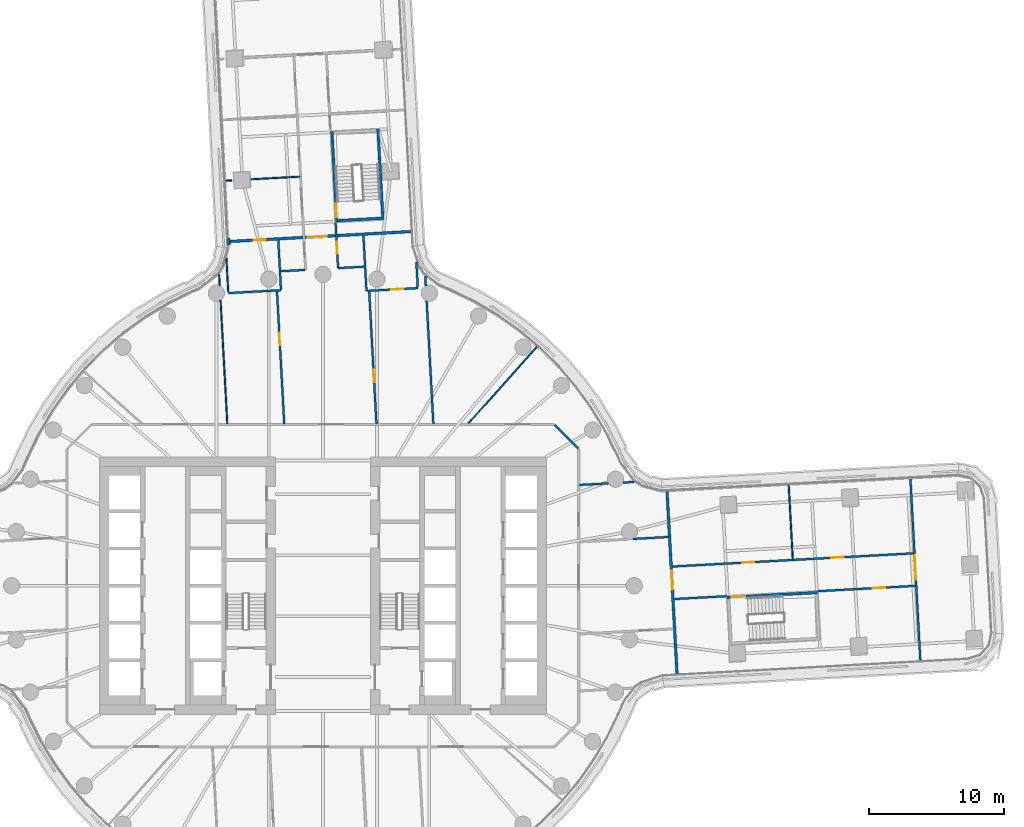
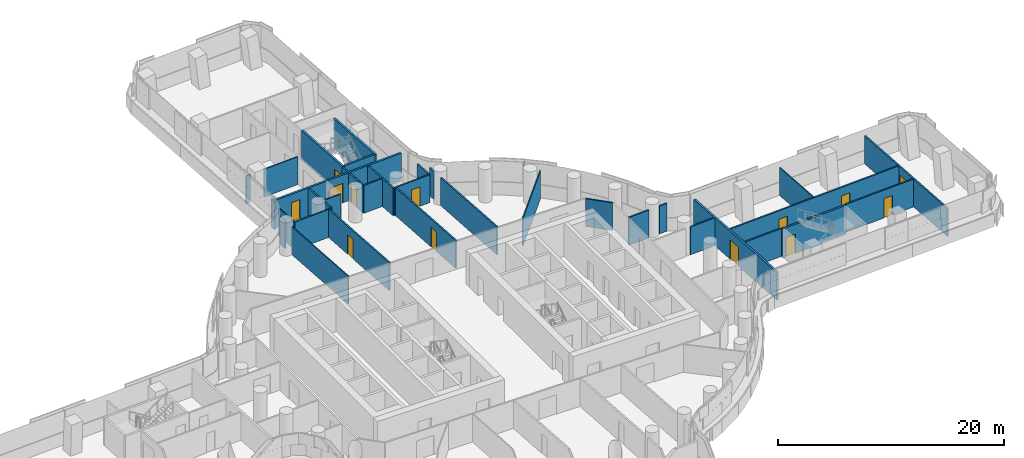
# One storey, part 22 of 31: 34 walls, 13 doors, 13 openings.
"""IFC4 building model written with IfcOpenShell, lengths in metres."""

from ifc_helpers import new_model, si_unit, direction, frame, frame_2d, origin, place, context, subcontext, project, spatial, rectangle, extrude, material, layer, layer_set, type_object, element, fill, save


model = new_model("IFC4")

# Units and contexts
model_context = context("Model", 3, precision=1e-05, world=origin(), true_north=direction((0.0, 1.0)))
body_context = subcontext(model_context, "Body", "Model", "MODEL_VIEW")
ifc_project = project(units=[si_unit("LENGTHUNIT", "METRE"), si_unit("AREAUNIT", "SQUARE_METRE"), si_unit("VOLUMEUNIT", "CUBIC_METRE"), si_unit("PLANEANGLEUNIT", "RADIAN"), si_unit("MASSUNIT", "GRAM", prefix="KILO")], contexts=[model_context])

# Site, building, storey
site_placement = place(None, origin())
site = spatial("IfcSite", under=ifc_project, at=site_placement, CompositionType="ELEMENT")
building_placement = place(site_placement, origin())
building = spatial("IfcBuilding", under=site, at=building_placement, Name="Tamarind Cross Interchange Tower", CompositionType="ELEMENT")
storey_placement = place(building_placement, frame((0.0, 0.0, 45.25)))
storey = spatial("IfcBuildingStorey", under=building, at=storey_placement, Name="L09", CompositionType="ELEMENT", Elevation=45.25)

# Walls
ifc_material_1 = material(Name="Gypsum board partition on steel studs", Category="steel")
ifc_layer_1 = layer(ifc_material_1, 0.10009765625)
ifc_layer_set_1 = layer_set([ifc_layer_1], Name="Gypsum board partition on steel studs")
wall_type_1 = type_object("IfcWallType", Name="Partition 100 mm EI 90", PredefinedType="PARTITIONING", material=ifc_layer_set_1)
wall_1_placement = place(storey_placement, frame((-7.664794921875, 22.97607421875, 0.0), z_axis=(0.0, 0.0, 1.0), x_axis=(0.05446449316, -0.998515707931, 0.0)))
element("IfcWall", 1, at=wall_1_placement, inside=storey, type_object=wall_type_1, Name="Partition L09-004", PredefinedType="PARTITIONING", context=body_context, shape_type="SweptSolid", body=[
    extrude(rectangle(XDim=0.8203125, YDim=0.10009765625, at=frame_2d((0.41015625, 0.0))), origin(), (0.0, 0.0, 1.0), 3.010009765625),
])
wall_2_placement = place(storey_placement, frame((-7.561279296875, 21.084716796875, 0.0), z_axis=(0.0, 0.0, 1.0), x_axis=(0.054713906198, -0.998502072341, 0.0)))
element("IfcWall", 2, at=wall_2_placement, inside=storey, type_object=wall_type_1, Name="Partition L09-005", PredefinedType="PARTITIONING", context=body_context, shape_type="SweptSolid", body=[
    extrude(rectangle(XDim=9.138427734375, YDim=0.10009765625, at=frame_2d((4.5693359375, 0.0))), origin(), (0.0, 0.0, 1.0), 3.010009765625),
])
wall_3_placement = place(storey_placement, frame((-7.1298828125, 24.179931640625, 0.0), z_axis=(0.0, 0.0, 1.0), x_axis=(0.05444507148, -0.998516767106, 0.0)))
element("IfcWall", 3, at=wall_3_placement, inside=storey, type_object=wall_type_1, Name="Partition L09-008", PredefinedType="PARTITIONING", context=body_context, shape_type="SweptSolid", body=[
    extrude(rectangle(XDim=2.506591796875, YDim=0.10009765625, at=frame_2d((1.25341796875, 0.0))), origin(), (0.0, 0.0, 1.0), 3.010009765625),
])
wall_4_placement = place(storey_placement, frame((34.4130859375, 7.41650390625, 0.0), z_axis=(0.0, 0.0, 1.0), x_axis=(0.05462995219, -0.998506669143, 0.0)))
element("IfcWall", 4, at=wall_4_placement, inside=storey, type_object=wall_type_1, Name="Partition L09-028", PredefinedType="PARTITIONING", context=body_context, shape_type="SweptSolid", body=[
    extrude(rectangle(XDim=5.45654296875, YDim=0.10009765625, at=frame_2d((2.728271484375, 0.0))), origin(), (0.0, 0.0, 1.0), 3.010009765625),
])
wall_5_placement = place(storey_placement, frame((-7.180419921875, 29.9189453125, 0.0), z_axis=(0.0, 0.0, 1.0), x_axis=(0.998492918186, 0.054880710029, 0.0)))
element("IfcWall", 5, at=wall_5_placement, inside=storey, type_object=wall_type_1, Name="Partition L09-051", PredefinedType="PARTITIONING", context=body_context, shape_type="SweptSolid", body=[
    extrude(rectangle(XDim=0.43603515625, YDim=0.10009765625, at=frame_2d((0.218017578125, 0.0))), origin(), (0.0, 0.0, 1.0), 3.010009765625),
])
wall_6_placement = place(storey_placement, frame((-5.31201171875, 30.021484375, 0.0), z_axis=(0.0, 0.0, 1.0), x_axis=(0.998501797092, 0.054718929122, 0.0)))
element("IfcWall", 6, at=wall_6_placement, inside=storey, type_object=wall_type_1, Name="Partition L09-052", PredefinedType="PARTITIONING", context=body_context, shape_type="SweptSolid", body=[
    extrude(rectangle(XDim=3.6005859375, YDim=0.10009765625, at=frame_2d((1.80029296875, 0.0))), origin(), (0.0, 0.0, 1.0), 3.010009765625),
])
wall_7_placement = place(storey_placement, frame((10.744873046875, 11.98876953125, 0.0), z_axis=(0.0, 0.0, 1.0), x_axis=(0.667389997602, 0.744708393333, 0.0)))
element("IfcWall", 7, at=wall_7_placement, inside=storey, type_object=wall_type_1, Name="Partition L09-074", PredefinedType="PARTITIONING", context=body_context, shape_type="SweptSolid", body=[
    extrude(rectangle(XDim=7.587646484375, YDim=0.10009765625, at=frame_2d((3.7939453125, 0.0))), origin(), (0.0, 0.0, 1.0), 3.010009765625),
])

# Wall, opening, door
ifc_layer_2 = layer(ifc_material_1, 0.14990234375)
ifc_layer_set_2 = layer_set([ifc_layer_2], Name="Gypsum board partition on steel studs")
wall_type_2 = type_object("IfcWallType", Name="Partition 150 mm EI 120", PredefinedType="PARTITIONING", material=ifc_layer_set_2)
wall_8_placement = place(storey_placement, frame((-3.391357421875, 21.7490234375, 0.0), z_axis=(0.0, 0.0, 1.0), x_axis=(0.054686598067, -0.998503568342, 0.0)))
wall_8 = element("IfcWall", 8, at=wall_8_placement, inside=storey, type_object=wall_type_2, Name="Partition L09-010", PredefinedType="PARTITIONING", context=body_context, shape_type="SweptSolid", body=[
    extrude(rectangle(XDim=9.8037109375, YDim=0.14990234375, at=frame_2d((4.90185546875, 0.0))), origin(), (0.0, 0.0, 1.0), 3.010009765625),
])
opening_1_placement = place(wall_8_placement, frame((3.0849609375, 0.0, 0.0)))
opening_1 = element("IfcOpeningElement", 9, at=opening_1_placement, cuts=wall_8, Name="Opening D04", PredefinedType="OPENING", context=body_context, shape_type="SweptSolid", body=[
    extrude(rectangle(XDim=0.89990234375, YDim=2.10009765625, at=frame_2d((0.449951171875, 1.050048828125))), frame((0.0, 0.0849609375, 0.0), z_axis=(0.0, -1.0, 0.0), x_axis=(1.0, 0.0, 0.0)), (0.0, 0.0, 1.0), 0.169921875),
])
ifc_material_2 = material(Name="Fire-resisting door set")
door_type_1 = type_object("IfcDoorType", Name="Interior door 900 x 2100 FD60S", OperationType="SINGLE_SWING_LEFT", PredefinedType="DOOR", material=ifc_material_2)
door_1_placement = place(opening_1_placement, frame((0.89990234375, 0.0, 0.0), z_axis=(0.0, 0.0, 1.0), x_axis=(-1.0, 0.0, 0.0)))
door_1 = element("IfcDoor", 10, at=door_1_placement, inside=storey, type_object=door_type_1, Name="Door D04", OperationType="SINGLE_SWING_LEFT", OverallHeight=2.10009765625, OverallWidth=0.89990234375, PredefinedType="DOOR", context=body_context, shape_type="SweptSolid", body=[
    extrude(rectangle(XDim=0.89990234375, YDim=2.10009765625, at=frame_2d((0.449951171875, 1.050048828125))), frame((0.0, 0.02490234375, 0.0), z_axis=(0.0, -1.0, 0.0), x_axis=(1.0, 0.0, 0.0)), (0.0, 0.0, 1.0), 0.050048828125),
])
fill(opening_1, door_1)

# Wall
wall_9_placement = place(storey_placement, frame((-3.298095703125, 25.53515625, 0.0), z_axis=(0.0, 0.0, 1.0), x_axis=(0.054703313237, -0.998502652736, 0.0)))
element("IfcWall", 11, at=wall_9_placement, inside=storey, type_object=wall_type_2, Name="Partition L09-011", PredefinedType="PARTITIONING", context=body_context, shape_type="SweptSolid", body=[
    extrude(rectangle(XDim=3.650634765625, YDim=0.14990234375, at=frame_2d((1.8251953125, 0.0))), origin(), (0.0, 0.0, 1.0), 3.010009765625),
])

# Wall, opening, door
wall_10_placement = place(storey_placement, frame((0.9375, 26.818603515625, 0.0), z_axis=(0.0, 0.0, 1.0), x_axis=(0.05464892536, -0.998505630909, 0.0)))
wall_10 = element("IfcWall", 12, at=wall_10_placement, inside=storey, type_object=wall_type_2, Name="Partition L09-017", PredefinedType="PARTITIONING", context=body_context, shape_type="SweptSolid", body=[
    extrude(rectangle(XDim=3.359619140625, YDim=0.14990234375, at=frame_2d((1.6796875, 0.0))), origin(), (0.0, 0.0, 1.0), 3.010009765625),
])
opening_2_placement = place(wall_10_placement, frame((1.409912109375, 0.0, 0.0)))
opening_2 = element("IfcOpeningElement", 13, at=opening_2_placement, cuts=wall_10, Name="Opening D13", PredefinedType="OPENING", context=body_context, shape_type="SweptSolid", body=[
    extrude(rectangle(XDim=0.89990234375, YDim=2.10009765625, at=frame_2d((0.449951171875, 1.050048828125))), frame((0.0, 0.0849609375, 0.0), z_axis=(0.0, -1.0, 0.0), x_axis=(1.0, 0.0, 0.0)), (0.0, 0.0, 1.0), 0.169921875),
])
door_2_placement = place(opening_2_placement, origin())
door_2 = element("IfcDoor", 14, at=door_2_placement, inside=storey, type_object=door_type_1, Name="Door D13", OperationType="SINGLE_SWING_LEFT", OverallHeight=2.10009765625, OverallWidth=0.89990234375, PredefinedType="DOOR", context=body_context, shape_type="SweptSolid", body=[
    extrude(rectangle(XDim=0.89990234375, YDim=2.10009765625, at=frame_2d((0.449951171875, 1.050048828125))), frame((0.0, 0.02490234375, 0.0), z_axis=(0.0, -1.0, 0.0), x_axis=(1.0, 0.0, 0.0)), (0.0, 0.0, 1.0), 0.050048828125),
])
fill(opening_2, door_2)

# Wall
wall_11_placement = place(storey_placement, frame((2.991943359375, 25.879150390625, 0.0), z_axis=(0.0, 0.0, 1.0), x_axis=(0.054598038501, -0.998508414683, 0.0)))
element("IfcWall", 15, at=wall_11_placement, inside=storey, type_object=wall_type_2, Name="Partition L09-020", PredefinedType="PARTITIONING", context=body_context, shape_type="SweptSolid", body=[
    extrude(rectangle(XDim=4.109375, YDim=0.14990234375, at=frame_2d((2.0546875, 0.0))), origin(), (0.0, 0.0, 1.0), 3.010009765625),
])

# Wall, opening, door
wall_12_placement = place(storey_placement, frame((3.420654296875, 21.72216796875, 0.0), z_axis=(0.0, 0.0, 1.0), x_axis=(0.054612518659, -0.998507622808, 0.0)))
wall_12 = element("IfcWall", 16, at=wall_12_placement, inside=storey, type_object=wall_type_2, Name="Partition L09-021", PredefinedType="PARTITIONING", context=body_context, shape_type="SweptSolid", body=[
    extrude(rectangle(XDim=9.77685546875, YDim=0.14990234375, at=frame_2d((4.888427734375, 0.0))), origin(), (0.0, 0.0, 1.0), 3.010009765625),
])
opening_3_placement = place(wall_12_placement, frame((5.784912109375, 0.0, 0.0)))
opening_3 = element("IfcOpeningElement", 17, at=opening_3_placement, cuts=wall_12, Name="Opening D15", PredefinedType="OPENING", context=body_context, shape_type="SweptSolid", body=[
    extrude(rectangle(XDim=0.89990234375, YDim=2.10009765625, at=frame_2d((0.449951171875, 1.050048828125))), frame((0.0, 0.0849609375, 0.0), z_axis=(0.0, -1.0, 0.0), x_axis=(1.0, 0.0, 0.0)), (0.0, 0.0, 1.0), 0.169921875),
])
door_3_placement = place(opening_3_placement, origin())
door_3 = element("IfcDoor", 18, at=door_3_placement, inside=storey, type_object=door_type_1, Name="Door D15", OperationType="SINGLE_SWING_LEFT", OverallHeight=2.10009765625, OverallWidth=0.89990234375, PredefinedType="DOOR", context=body_context, shape_type="SweptSolid", body=[
    extrude(rectangle(XDim=0.89990234375, YDim=2.10009765625, at=frame_2d((0.449951171875, 1.050048828125))), frame((0.0, 0.02490234375, 0.0), z_axis=(0.0, -1.0, 0.0), x_axis=(1.0, 0.0, 0.0)), (0.0, 0.0, 1.0), 0.050048828125),
])
fill(opening_3, door_3)

# Walls
wall_13_placement = place(storey_placement, frame((6.905029296875, 23.930419921875, 0.0), z_axis=(0.0, 0.0, 1.0), x_axis=(0.054387027717, -0.998519930305, 0.0)))
element("IfcWall", 19, at=wall_13_placement, inside=storey, type_object=wall_type_2, Name="Partition L09-022", PredefinedType="PARTITIONING", context=body_context, shape_type="SweptSolid", body=[
    extrude(rectangle(XDim=1.88525390625, YDim=0.14990234375, at=frame_2d((0.942626953125, 0.0))), origin(), (0.0, 0.0, 1.0), 3.010009765625),
])
wall_14_placement = place(storey_placement, frame((7.564208984375, 22.864013671875, 0.0), z_axis=(0.0, 0.0, 1.0), x_axis=(0.05446449316, -0.998515707931, 0.0)))
element("IfcWall", 20, at=wall_14_placement, inside=storey, type_object=wall_type_2, Name="Partition L09-025", PredefinedType="PARTITIONING", context=body_context, shape_type="SweptSolid", body=[
    extrude(rectangle(XDim=0.712646484375, YDim=0.14990234375, at=frame_2d((0.3564453125, 0.0))), origin(), (0.0, 0.0, 1.0), 3.010009765625),
])
wall_15_placement = place(storey_placement, frame((7.662841796875, 21.0576171875, 0.0), z_axis=(0.0, 0.0, 1.0), x_axis=(0.054635960393, -0.998506340406, 0.0)))
element("IfcWall", 21, at=wall_15_placement, inside=storey, type_object=wall_type_2, Name="Partition L09-026", PredefinedType="PARTITIONING", context=body_context, shape_type="SweptSolid", body=[
    extrude(rectangle(XDim=9.111328125, YDim=0.14990234375, at=frame_2d((4.5556640625, 0.0))), origin(), (0.0, 0.0, 1.0), 3.010009765625),
])

# Wall, opening, door
wall_16_placement = place(storey_placement, frame((43.401123046875, 7.888916015625, 0.0), z_axis=(0.0, 0.0, 1.0), x_axis=(0.054633850109, -0.998506455874, 0.0)))
wall_16 = element("IfcWall", 22, at=wall_16_placement, inside=storey, type_object=wall_type_2, Name="Partition L09-029", PredefinedType="PARTITIONING", context=body_context, shape_type="SweptSolid", body=[
    extrude(rectangle(XDim=13.406005859375, YDim=0.14990234375, at=frame_2d((6.703125, 0.0))), origin(), (0.0, 0.0, 1.0), 3.010009765625),
])
opening_4_placement = place(wall_16_placement, frame((5.656982421875, 0.0, 0.0)))
opening_4 = element("IfcOpeningElement", 23, at=opening_4_placement, cuts=wall_16, Name="Opening D17", PredefinedType="OPENING", context=body_context, shape_type="SweptSolid", body=[
    extrude(rectangle(XDim=1.800048828125, YDim=2.10009765625, at=frame_2d((0.89990234375, 1.050048828125))), frame((0.0, 0.0849609375, 0.0), z_axis=(0.0, -1.0, 0.0), x_axis=(1.0, 0.0, 0.0)), (0.0, 0.0, 1.0), 0.169921875),
])
door_type_2 = type_object("IfcDoorType", Name="Interior door 1800 x 2100 FD60S", OperationType="DOUBLE_DOOR_SINGLE_SWING", PredefinedType="DOOR", material=ifc_material_2)
door_4_placement = place(opening_4_placement, origin())
door_4 = element("IfcDoor", 24, at=door_4_placement, inside=storey, type_object=door_type_2, Name="Door D17", OperationType="DOUBLE_DOOR_SINGLE_SWING", OverallHeight=2.10009765625, OverallWidth=1.800048828125, PredefinedType="DOOR", context=body_context, shape_type="SweptSolid", body=[
    extrude(rectangle(XDim=1.800048828125, YDim=2.10009765625, at=frame_2d((0.89990234375, 1.050048828125))), frame((0.0, 0.02490234375, 0.0), z_axis=(0.0, -1.0, 0.0), x_axis=(1.0, 0.0, 0.0)), (0.0, 0.0, 1.0), 0.050048828125),
])
fill(opening_4, door_4)

# Wall
wall_17_placement = place(storey_placement, frame((17.12841796875, 11.87158203125, 0.0), z_axis=(0.0, 0.0, 1.0), x_axis=(0.707106781187, -0.707106781187, 0.0)))
element("IfcWall", 25, at=wall_17_placement, inside=storey, type_object=wall_type_2, Name="Partition L09-031", PredefinedType="PARTITIONING", context=body_context, shape_type="SweptSolid", body=[
    extrude(rectangle(XDim=2.465087890625, YDim=0.14990234375, at=frame_2d((1.232421875, 0.0))), origin(), (0.0, 0.0, 1.0), 3.010009765625),
])

# Wall, openings, doors
wall_18_placement = place(storey_placement, frame((25.818603515625, 1.416259765625, 0.0), z_axis=(0.0, 0.0, 1.0), x_axis=(0.998504444883, 0.054670591258, 0.0)))
wall_18 = element("IfcWall", 26, at=wall_18_placement, inside=storey, type_object=wall_type_2, Name="Partition L09-037", PredefinedType="PARTITIONING", context=body_context, shape_type="SweptSolid", body=[
    extrude(rectangle(XDim=17.8447265625, YDim=0.14990234375, at=frame_2d((8.92236328125, 0.0))), origin(), (0.0, 0.0, 1.0), 3.010009765625),
])
opening_5_placement = place(wall_18_placement, frame((5.159912109375, 0.0, 0.0)))
opening_5 = element("IfcOpeningElement", 27, at=opening_5_placement, cuts=wall_18, Name="Opening D25", PredefinedType="OPENING", context=body_context, shape_type="SweptSolid", body=[
    extrude(rectangle(XDim=0.89990234375, YDim=2.10009765625, at=frame_2d((0.449951171875, 1.050048828125))), frame((0.0, 0.0849609375, 0.0), z_axis=(0.0, -1.0, 0.0), x_axis=(1.0, 0.0, 0.0)), (0.0, 0.0, 1.0), 0.169921875),
])
opening_6_placement = place(wall_18_placement, frame((11.759521484375, 0.0, 0.0)))
opening_6 = element("IfcOpeningElement", 28, at=opening_6_placement, cuts=wall_18, Name="Opening D26", PredefinedType="OPENING", context=body_context, shape_type="SweptSolid", body=[
    extrude(rectangle(XDim=0.89990234375, YDim=2.10009765625, at=frame_2d((0.449951171875, 1.050048828125))), frame((0.0, 0.0849609375, 0.0), z_axis=(0.0, -1.0, 0.0), x_axis=(1.0, 0.0, 0.0)), (0.0, 0.0, 1.0), 0.169921875),
])
door_5_placement = place(opening_5_placement, origin())
door_5 = element("IfcDoor", 29, at=door_5_placement, inside=storey, type_object=door_type_1, Name="Door D25", OperationType="SINGLE_SWING_RIGHT", OverallHeight=2.10009765625, OverallWidth=0.89990234375, PredefinedType="DOOR", context=body_context, shape_type="SweptSolid", body=[
    extrude(rectangle(XDim=0.89990234375, YDim=2.10009765625, at=frame_2d((0.449951171875, 1.050048828125))), frame((0.0, 0.02490234375, 0.0), z_axis=(0.0, -1.0, 0.0), x_axis=(1.0, 0.0, 0.0)), (0.0, 0.0, 1.0), 0.050048828125),
])
fill(opening_5, door_5)
door_6_placement = place(opening_6_placement, origin())
door_6 = element("IfcDoor", 30, at=door_6_placement, inside=storey, type_object=door_type_1, Name="Door D26", OperationType="SINGLE_SWING_LEFT", OverallHeight=2.10009765625, OverallWidth=0.89990234375, PredefinedType="DOOR", context=body_context, shape_type="SweptSolid", body=[
    extrude(rectangle(XDim=0.89990234375, YDim=2.10009765625, at=frame_2d((0.449951171875, 1.050048828125))), frame((0.0, 0.02490234375, 0.0), z_axis=(0.0, -1.0, 0.0), x_axis=(1.0, 0.0, 0.0)), (0.0, 0.0, 1.0), 0.050048828125),
])
fill(opening_6, door_6)

# Walls
wall_19_placement = place(storey_placement, frame((-6.989990234375, 21.616943359375, 0.0), z_axis=(0.0, 0.0, 1.0), x_axis=(0.998502807965, 0.054700479764, 0.0)))
element("IfcWall", 31, at=wall_19_placement, inside=storey, type_object=wall_type_2, Name="Partition L09-053", PredefinedType="PARTITIONING", context=body_context, shape_type="SweptSolid", body=[
    extrude(rectangle(XDim=3.90087890625, YDim=0.14990234375, at=frame_2d((1.950439453125, 0.0))), origin(), (0.0, 0.0, 1.0), 3.010009765625),
])
wall_20_placement = place(storey_placement, frame((-3.107177734375, 23.231689453125, 0.0), z_axis=(0.0, 0.0, 1.0), x_axis=(0.998507808704, 0.054609119721, 0.0)))
element("IfcWall", 32, at=wall_20_placement, inside=storey, type_object=wall_type_2, Name="Partition L09-059", PredefinedType="PARTITIONING", context=body_context, shape_type="SweptSolid", body=[
    extrude(rectangle(XDim=1.77490234375, YDim=0.14990234375, at=frame_2d((0.887451171875, 0.0))), origin(), (0.0, 0.0, 1.0), 3.010009765625),
])
wall_21_placement = place(storey_placement, frame((1.1220703125, 23.46337890625, 0.0), z_axis=(0.0, 0.0, 1.0), x_axis=(0.998497803105, 0.054791762112, 0.0)))
element("IfcWall", 33, at=wall_21_placement, inside=storey, type_object=wall_type_2, Name="Partition L09-060", PredefinedType="PARTITIONING", context=body_context, shape_type="SweptSolid", body=[
    extrude(rectangle(XDim=1.933837890625, YDim=0.14990234375, at=frame_2d((0.966796875, 0.0))), origin(), (0.0, 0.0, 1.0), 3.010009765625),
])

# Wall, opening, door
wall_22_placement = place(storey_placement, frame((3.27685546875, 21.779296875, 0.0), z_axis=(0.0, 0.0, 1.0), x_axis=(0.998491728181, 0.054902356548, 0.0)))
wall_22 = element("IfcWall", 34, at=wall_22_placement, inside=storey, type_object=wall_type_2, Name="Partition L09-061", PredefinedType="PARTITIONING", context=body_context, shape_type="SweptSolid", body=[
    extrude(rectangle(XDim=3.73974609375, YDim=0.14990234375, at=frame_2d((1.869873046875, 0.0))), origin(), (0.0, 0.0, 1.0), 3.010009765625),
])
opening_7_placement = place(wall_22_placement, frame((1.790283203125, 0.0, 0.0)))
opening_7 = element("IfcOpeningElement", 35, at=opening_7_placement, cuts=wall_22, Name="Opening D34", PredefinedType="OPENING", context=body_context, shape_type="SweptSolid", body=[
    extrude(rectangle(XDim=0.89990234375, YDim=2.10009765625, at=frame_2d((0.449951171875, 1.050048828125))), frame((0.0, 0.0849609375, 0.0), z_axis=(0.0, -1.0, 0.0), x_axis=(1.0, 0.0, 0.0)), (0.0, 0.0, 1.0), 0.169921875),
])
door_7_placement = place(opening_7_placement, origin())
door_7 = element("IfcDoor", 36, at=door_7_placement, inside=storey, type_object=door_type_1, Name="Door D34", OperationType="SINGLE_SWING_LEFT", OverallHeight=2.10009765625, OverallWidth=0.89990234375, PredefinedType="DOOR", context=body_context, shape_type="SweptSolid", body=[
    extrude(rectangle(XDim=0.89990234375, YDim=2.10009765625, at=frame_2d((0.449951171875, 1.050048828125))), frame((0.0, 0.02490234375, 0.0), z_axis=(0.0, -1.0, 0.0), x_axis=(1.0, 0.0, 0.0)), (0.0, 0.0, 1.0), 0.050048828125),
])
fill(opening_7, door_7)

# Walls
wall_23_placement = place(storey_placement, frame((22.91748046875, 3.455322265625, 0.0), z_axis=(0.0, 0.0, 1.0), x_axis=(0.99849534005, 0.054836629171, 0.0)))
element("IfcWall", 37, at=wall_23_placement, inside=storey, type_object=wall_type_2, Name="Partition L09-064", PredefinedType="PARTITIONING", context=body_context, shape_type="SweptSolid", body=[
    extrude(rectangle(XDim=2.6044921875, YDim=0.14990234375, at=frame_2d((1.30224609375, 0.0))), origin(), (0.0, 0.0, 1.0), 3.010009765625),
])
wall_24_placement = place(storey_placement, frame((18.9599609375, 7.4453125, 0.0), z_axis=(0.0, 0.0, 1.0), x_axis=(0.998507642366, 0.054612161067, 0.0)))
element("IfcWall", 38, at=wall_24_placement, inside=storey, type_object=wall_type_2, Name="Partition L09-065", PredefinedType="PARTITIONING", context=body_context, shape_type="SweptSolid", body=[
    extrude(rectangle(XDim=2.1279296875, YDim=0.14990234375, at=frame_2d((1.06396484375, 0.0))), origin(), (0.0, 0.0, 1.0), 3.010009765625),
])
wall_25_placement = place(storey_placement, frame((22.156982421875, 7.6201171875, 0.0), z_axis=(0.0, 0.0, 1.0), x_axis=(0.998515707931, 0.05446449316, 0.0)))
element("IfcWall", 39, at=wall_25_placement, inside=storey, type_object=wall_type_2, Name="Partition L09-066", PredefinedType="PARTITIONING", context=body_context, shape_type="SweptSolid", body=[
    extrude(rectangle(XDim=0.8203125, YDim=0.14990234375, at=frame_2d((0.41015625, 0.0))), origin(), (0.0, 0.0, 1.0), 3.010009765625),
])
wall_26_placement = place(storey_placement, frame((25.949951171875, -0.985107421875, 0.0), z_axis=(0.0, 0.0, 1.0), x_axis=(0.998510401731, 0.054561686513, 0.0)))
element("IfcWall", 40, at=wall_26_placement, inside=storey, type_object=wall_type_2, Name="Partition L09-069", PredefinedType="PARTITIONING", context=body_context, shape_type="SweptSolid", body=[
    extrude(rectangle(XDim=3.87060546875, YDim=0.14990234375, at=frame_2d((1.935302734375, 0.0))), origin(), (0.0, 0.0, 1.0), 3.010009765625),
])

# Wall, opening, door
wall_27_placement = place(storey_placement, frame((36.58349609375, -0.404296875, 0.0), z_axis=(0.0, 0.0, 1.0), x_axis=(0.998510570461, 0.054558598569, 0.0)))
wall_27 = element("IfcWall", 41, at=wall_27_placement, inside=storey, type_object=wall_type_2, Name="Partition L09-070", PredefinedType="PARTITIONING", context=body_context, shape_type="SweptSolid", body=[
    extrude(rectangle(XDim=7.195556640625, YDim=0.14990234375, at=frame_2d((3.59765625, 0.0))), origin(), (0.0, 0.0, 1.0), 3.010009765625),
])
opening_8_placement = place(wall_27_placement, frame((4.050048828125, 0.0, 0.0)))
opening_8 = element("IfcOpeningElement", 42, at=opening_8_placement, cuts=wall_27, Name="Opening D36", PredefinedType="OPENING", context=body_context, shape_type="SweptSolid", body=[
    extrude(rectangle(XDim=0.89990234375, YDim=2.10009765625, at=frame_2d((0.449951171875, 1.050048828125))), frame((0.0, 0.0849609375, 0.0), z_axis=(0.0, -1.0, 0.0), x_axis=(1.0, 0.0, 0.0)), (0.0, 0.0, 1.0), 0.169921875),
])
door_8_placement = place(opening_8_placement, frame((0.89990234375, 0.0, 0.0), z_axis=(0.0, 0.0, 1.0), x_axis=(-1.0, 0.0, 0.0)))
door_8 = element("IfcDoor", 43, at=door_8_placement, inside=storey, type_object=door_type_1, Name="Door D36", OperationType="SINGLE_SWING_RIGHT", OverallHeight=2.10009765625, OverallWidth=0.89990234375, PredefinedType="DOOR", context=body_context, shape_type="SweptSolid", body=[
    extrude(rectangle(XDim=0.89990234375, YDim=2.10009765625, at=frame_2d((0.449951171875, 1.050048828125))), frame((0.0, 0.02490234375, 0.0), z_axis=(0.0, -1.0, 0.0), x_axis=(1.0, 0.0, 0.0)), (0.0, 0.0, 1.0), 0.050048828125),
])
fill(opening_8, door_8)

ifc_layer_3 = layer(ifc_material_1, 0.199951171875)
ifc_layer_set_3 = layer_set([ifc_layer_3], Name="Gypsum board partition on steel studs")
wall_type_3 = type_object("IfcWallType", Name="Partition 200 mm EI 180", PredefinedType="PARTITIONING", material=ifc_layer_set_3)
wall_28_placement = place(storey_placement, frame((25.425048828125, 6.944091796875, 0.0), z_axis=(0.0, 0.0, 1.0), x_axis=(0.054673511585, -0.998504284984, 0.0)))
wall_28 = element("IfcWall", 44, at=wall_28_placement, inside=storey, type_object=wall_type_3, Name="Partition L09-027", PredefinedType="PARTITIONING", context=body_context, shape_type="SweptSolid", body=[
    extrude(rectangle(XDim=13.4453125, YDim=0.199951171875, at=frame_2d((6.72265625, 0.0))), origin(), (0.0, 0.0, 1.0), 3.010009765625),
])
opening_9_placement = place(wall_28_placement, frame((5.846435546875, 0.0, 0.0)))
opening_9 = element("IfcOpeningElement", 45, at=opening_9_placement, cuts=wall_28, Name="Opening D16", PredefinedType="OPENING", context=body_context, shape_type="SweptSolid", body=[
    extrude(rectangle(XDim=1.39990234375, YDim=2.10009765625, at=frame_2d((0.699951171875, 1.050048828125))), frame((0.0, 0.10986328125, 0.0), z_axis=(0.0, -1.0, 0.0), x_axis=(1.0, 0.0, 0.0)), (0.0, 0.0, 1.0), 0.219970703125),
])
door_type_3 = type_object("IfcDoorType", Name="Interior door 1400 x 2100 FD120S", OperationType="DOUBLE_DOOR_SINGLE_SWING", PredefinedType="DOOR", material=ifc_material_2)
door_9_placement = place(opening_9_placement, frame((1.39990234375, 0.0, 0.0), z_axis=(0.0, 0.0, 1.0), x_axis=(-1.0, 0.0, 0.0)))
door_9 = element("IfcDoor", 46, at=door_9_placement, inside=storey, type_object=door_type_3, Name="Door D16", OperationType="DOUBLE_DOOR_SINGLE_SWING", OverallHeight=2.10009765625, OverallWidth=1.39990234375, PredefinedType="DOOR", context=body_context, shape_type="SweptSolid", body=[
    extrude(rectangle(XDim=1.39990234375, YDim=2.10009765625, at=frame_2d((0.699951171875, 1.050048828125))), frame((0.0, 0.02490234375, 0.0), z_axis=(0.0, -1.0, 0.0), x_axis=(1.0, 0.0, 0.0)), (0.0, 0.0, 1.0), 0.050048828125),
])
fill(opening_9, door_9)

# Wall, openings, doors
wall_29_placement = place(storey_placement, frame((-6.849365234375, 25.430419921875, 0.0), z_axis=(0.0, 0.0, 1.0), x_axis=(0.998496042517, 0.054823836773, 0.0)))
wall_29 = element("IfcWall", 47, at=wall_29_placement, inside=storey, type_object=wall_type_3, Name="Partition L09-054", PredefinedType="PARTITIONING", context=body_context, shape_type="SweptSolid", body=[
    extrude(rectangle(XDim=13.3505859375, YDim=0.199951171875, at=frame_2d((6.67529296875, 0.0))), origin(), (0.0, 0.0, 1.0), 3.010009765625),
])
opening_10_placement = place(wall_29_placement, frame((5.75146484375, 0.0, 0.0)))
opening_10 = element("IfcOpeningElement", 48, at=opening_10_placement, cuts=wall_29, Name="Opening D30", PredefinedType="OPENING", context=body_context, shape_type="SweptSolid", body=[
    extrude(rectangle(XDim=1.39990234375, YDim=2.10009765625, at=frame_2d((0.699951171875, 1.050048828125))), frame((0.0, 0.10986328125, 0.0), z_axis=(0.0, -1.0, 0.0), x_axis=(1.0, 0.0, 0.0)), (0.0, 0.0, 1.0), 0.219970703125),
])
opening_11_placement = place(wall_29_placement, frame((1.73388671875, 0.0, 0.0)))
opening_11 = element("IfcOpeningElement", 49, at=opening_11_placement, cuts=wall_29, Name="Opening D31", PredefinedType="OPENING", context=body_context, shape_type="SweptSolid", body=[
    extrude(rectangle(XDim=0.89990234375, YDim=2.10009765625, at=frame_2d((0.449951171875, 1.050048828125))), frame((0.0, 0.10986328125, 0.0), z_axis=(0.0, -1.0, 0.0), x_axis=(1.0, 0.0, 0.0)), (0.0, 0.0, 1.0), 0.219970703125),
])
door_10_placement = place(opening_10_placement, frame((1.39990234375, 0.0, 0.0), z_axis=(0.0, 0.0, 1.0), x_axis=(-1.0, 0.0, 0.0)))
door_10 = element("IfcDoor", 50, at=door_10_placement, inside=storey, type_object=door_type_3, Name="Door D30", OperationType="DOUBLE_DOOR_SINGLE_SWING", OverallHeight=2.10009765625, OverallWidth=1.39990234375, PredefinedType="DOOR", context=body_context, shape_type="SweptSolid", body=[
    extrude(rectangle(XDim=1.39990234375, YDim=2.10009765625, at=frame_2d((0.699951171875, 1.050048828125))), frame((0.0, 0.02490234375, 0.0), z_axis=(0.0, -1.0, 0.0), x_axis=(1.0, 0.0, 0.0)), (0.0, 0.0, 1.0), 0.050048828125),
])
fill(opening_10, door_10)
door_type_4 = type_object("IfcDoorType", Name="Interior door 900 x 2100 FD120S", OperationType="SINGLE_SWING_LEFT", PredefinedType="DOOR", material=ifc_material_2)
door_11_placement = place(opening_11_placement, frame((0.89990234375, 0.0, 0.0), z_axis=(0.0, 0.0, 1.0), x_axis=(-1.0, 0.0, 0.0)))
door_11 = element("IfcDoor", 51, at=door_11_placement, inside=storey, type_object=door_type_4, Name="Door D31", OperationType="SINGLE_SWING_LEFT", OverallHeight=2.10009765625, OverallWidth=0.89990234375, PredefinedType="DOOR", context=body_context, shape_type="SweptSolid", body=[
    extrude(rectangle(XDim=0.89990234375, YDim=2.10009765625, at=frame_2d((0.449951171875, 1.050048828125))), frame((0.0, 0.02490234375, 0.0), z_axis=(0.0, -1.0, 0.0), x_axis=(1.0, 0.0, 0.0)), (0.0, 0.0, 1.0), 0.050048828125),
])
fill(opening_11, door_11)

# Wall
wall_30_placement = place(storey_placement, frame((-6.957275390625, 25.6748046875, 0.0), z_axis=(0.0, 0.0, 1.0), x_axis=(0.052712536951, -0.998609727796, 0.0)))
element("IfcWall", 52, at=wall_30_placement, inside=storey, type_object=wall_type_3, Name="Partition L09-077", PredefinedType="PARTITIONING", context=body_context, shape_type="SweptSolid", body=[
    extrude(rectangle(XDim=0.500244140625, YDim=0.199951171875, at=frame_2d((0.25, 0.0))), origin(), (0.0, 0.0, 1.0), 3.010009765625),
])

# Wall, opening, door
ifc_material_3 = material(Name="Concrete C40", Category="concrete")
ifc_layer_4 = layer(ifc_material_3, 0.199951171875)
ifc_layer_set_4 = layer_set([ifc_layer_4], Name="Concrete C40")
wall_type_4 = type_object("IfcWallType", Name="Stair shaft wall 200 mm Concrete C40", PredefinedType="SHEAR", material=ifc_layer_set_4)
wall_31_placement = place(storey_placement, frame((29.859375, -0.87158203125, -0.139892578125), z_axis=(0.0, 0.0, 1.0), x_axis=(0.9985031066, 0.05469502821, 0.0)))
wall_31 = element("IfcWall", 53, at=wall_31_placement, inside=storey, type_object=wall_type_4, Name="Core wall CWL-L09-ST3-H", PredefinedType="SHEAR", context=body_context, shape_type="SweptSolid", body=[
    extrude(rectangle(XDim=6.699951171875, YDim=0.199951171875, at=frame_2d((3.35009765625, 0.0))), origin(), (0.0, 0.0, 1.0), 3.14990234375),
])
opening_12_placement = place(wall_31_placement, frame((0.35009765625, 0.0, 0.0)))
opening_12 = element("IfcOpeningElement", 54, at=opening_12_placement, cuts=wall_31, Name="Opening ST3L09", PredefinedType="OPENING", context=body_context, shape_type="SweptSolid", body=[
    extrude(rectangle(XDim=1.0, YDim=2.10009765625, at=frame_2d((0.5, 1.050048828125))), frame((0.0, 0.10986328125, 0.0), z_axis=(0.0, -1.0, 0.0), x_axis=(1.0, 0.0, 0.0)), (0.0, 0.0, 1.0), 0.219970703125),
])
ifc_material_4 = material(Name="Steel, fire-resisting", Category="steel")
door_type_5 = type_object("IfcDoorType", Name="Core fire door 1000 x 2100 FD90", OperationType="SINGLE_SWING_LEFT", PredefinedType="DOOR", material=ifc_material_4)
door_12_placement = place(opening_12_placement, origin())
door_12 = element("IfcDoor", 55, at=door_12_placement, inside=storey, type_object=door_type_5, Name="L09 stair door ST3", OperationType="SINGLE_SWING_LEFT", OverallHeight=2.10009765625, OverallWidth=1.0, PredefinedType="DOOR", context=body_context, shape_type="SweptSolid", body=[
    extrude(rectangle(XDim=1.0, YDim=2.10009765625, at=frame_2d((0.5, 1.050048828125))), frame((0.0, 0.02490234375, 0.0), z_axis=(0.0, -1.0, 0.0), x_axis=(1.0, 0.0, 0.0)), (0.0, 0.0, 1.0), 0.050048828125),
])
fill(opening_12, door_12)

wall_32_placement = place(storey_placement, frame((1.03564453125, 26.864013671875, -0.139892578125), z_axis=(0.0, 0.0, 1.0), x_axis=(-0.05469502821, 0.9985031066, 0.0)))
wall_32 = element("IfcWall", 56, at=wall_32_placement, inside=storey, type_object=wall_type_4, Name="Core wall CWL-L09-ST4-H", PredefinedType="SHEAR", context=body_context, shape_type="SweptSolid", body=[
    extrude(rectangle(XDim=6.699951171875, YDim=0.199951171875, at=frame_2d((3.35009765625, 0.0))), origin(), (0.0, 0.0, 1.0), 3.14990234375),
])
opening_13_placement = place(wall_32_placement, frame((0.35009765625, 0.0, 0.0)))
opening_13 = element("IfcOpeningElement", 57, at=opening_13_placement, cuts=wall_32, Name="Opening ST4L09", PredefinedType="OPENING", context=body_context, shape_type="SweptSolid", body=[
    extrude(rectangle(XDim=1.0, YDim=2.10009765625, at=frame_2d((0.5, 1.050048828125))), frame((0.0, 0.10986328125, 0.0), z_axis=(0.0, -1.0, 0.0), x_axis=(1.0, 0.0, 0.0)), (0.0, 0.0, 1.0), 0.219970703125),
])
door_13_placement = place(opening_13_placement, origin())
door_13 = element("IfcDoor", 58, at=door_13_placement, inside=storey, type_object=door_type_5, Name="L09 stair door ST4", OperationType="SINGLE_SWING_LEFT", OverallHeight=2.10009765625, OverallWidth=1.0, PredefinedType="DOOR", context=body_context, shape_type="SweptSolid", body=[
    extrude(rectangle(XDim=1.0, YDim=2.10009765625, at=frame_2d((0.5, 1.050048828125))), frame((0.0, 0.02490234375, 0.0), z_axis=(0.0, -1.0, 0.0), x_axis=(1.0, 0.0, 0.0)), (0.0, 0.0, 1.0), 0.050048828125),
])
fill(opening_13, door_13)

# Walls
wall_33_placement = place(storey_placement, frame((4.430419921875, 27.0498046875, -0.139892578125), z_axis=(0.0, 0.0, 1.0), x_axis=(-0.054658698051, 0.998505095995, 0.0)))
element("IfcWall", 59, at=wall_33_placement, inside=storey, type_object=wall_type_4, Name="Core wall CWL-L09-ST4-C", PredefinedType="SHEAR", context=body_context, shape_type="SweptSolid", body=[
    extrude(rectangle(XDim=6.699951171875, YDim=0.199951171875, at=frame_2d((3.35009765625, 0.0))), origin(), (0.0, 0.0, 1.0), 3.14990234375),
])
wall_34_placement = place(storey_placement, frame((4.3251953125, 27.144287109375, -0.139892578125), z_axis=(0.0, 0.0, 1.0), x_axis=(-0.998502780279, -0.054700985136, 0.0)))
element("IfcWall", 60, at=wall_34_placement, inside=storey, type_object=wall_type_4, Name="Core wall CWL-L09-ST4-CE", PredefinedType="SHEAR", context=body_context, shape_type="SweptSolid", body=[
    extrude(rectangle(XDim=3.2001953125, YDim=0.199951171875, at=frame_2d((1.60009765625, 0.0))), origin(), (0.0, 0.0, 1.0), 3.14990234375),
])

save(model, "model.ifc")
